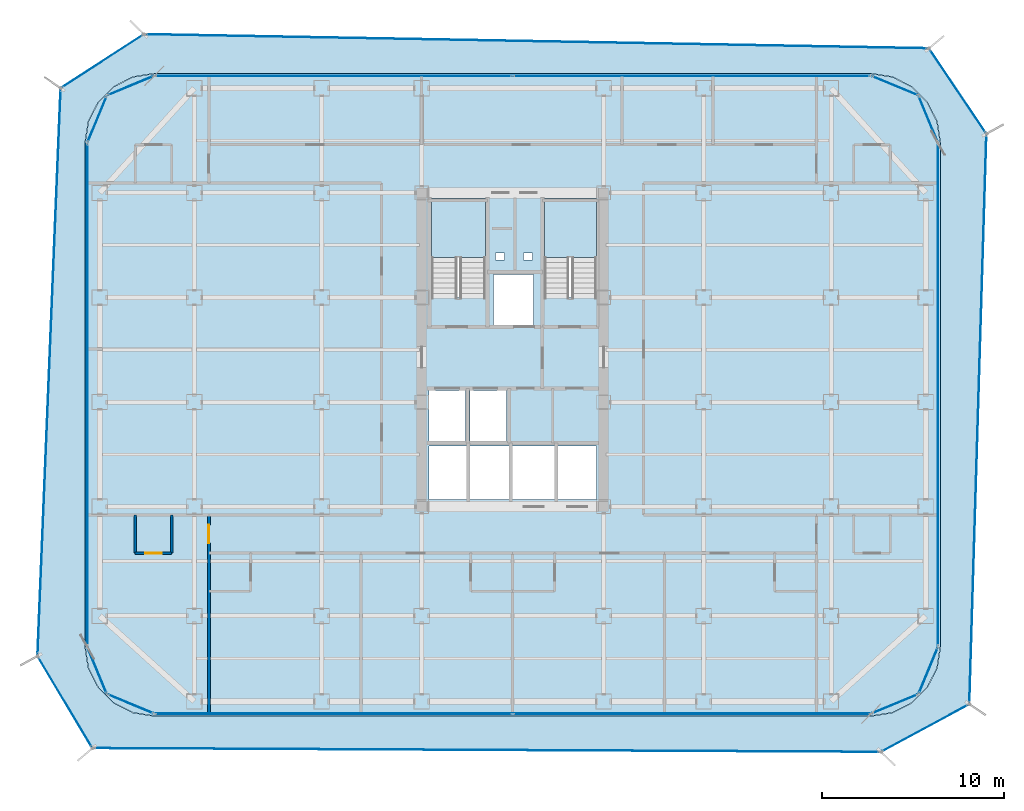
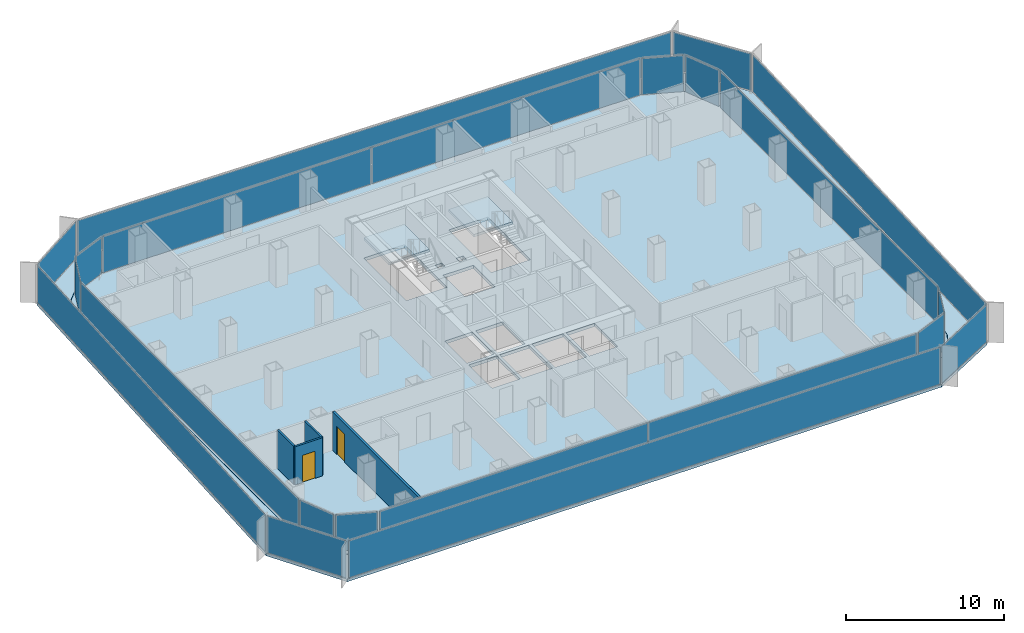
# One storey, part 15 of 21: 22 plates, 4 slabs, 4 walls, 2 doors, 2 openings, 22 elements without a shape of their own.
"""IFC4 building model written with IfcOpenShell, lengths in metres."""

import ifcopenshell
import ifcopenshell.guid

model = None  # the IFC model being written
_history = None  # IfcOwnerHistory: only IFC2X3 demands one
_inside = {}  # id of a spatial element -> (the spatial element, [elements in it])
_under = {}  # id of a project, library or spatial element -> (it, [spatial elements below it])
_declared = {}  # id of a project -> (the project, [libraries it declares])
_typed = {}  # id of a type object -> (the type object, [elements of that type])
_made_of = {}  # id of a material, layer set ... -> (it, [elements and type objects made of it])


def new_model(schema):
    """Start an empty IFC model of exactly this schema.

    Asked for "IFC4X3", IfcOpenShell would pick the latest addendum, in which some entities
    have other attributes; the version numbers below select the first issue.
    IFC2X3 requires an IfcOwnerHistory on every rooted entity: one is made here for all.
    """
    global model, _history
    if schema == "IFC4X3":
        model = ifcopenshell.file(schema_version=(4, 3, 0, 0))
    else:
        model = ifcopenshell.file(schema=schema)
    _inside.clear()
    _under.clear()
    _declared.clear()
    _typed.clear()
    _made_of.clear()
    _history = None
    if model.schema == "IFC2X3":
        org = make("IfcOrganization", Name="unknown")
        user = make(
            "IfcPersonAndOrganization",
            ThePerson=make("IfcPerson", FamilyName="unknown"),
            TheOrganization=org,
        )
        app = make(
            "IfcApplication",
            ApplicationDeveloper=org,
            Version="unknown",
            ApplicationFullName="unknown",
            ApplicationIdentifier="unknown",
        )
        _history = make(
            "IfcOwnerHistory",
            OwningUser=user,
            OwningApplication=app,
            ChangeAction="ADDED",
            CreationDate=0,
        )
    return model


def make(cls, **values):
    """One entity of the class cls with the attributes given. An attribute that is None is left unset."""
    return model.create_entity(
        cls, **{name: value for name, value in values.items() if value is not None}
    )


def rooted(cls, **values):
    """An entity with a GlobalId (a new one), such as an element, a storey or a relation."""
    return make(cls, GlobalId=ifcopenshell.guid.new(), OwnerHistory=_history, **values)


def si_unit(unit_type, name, prefix=None):
    """IfcSIUnit, for example si_unit("LENGTHUNIT", "METRE", prefix="MILLI")."""
    return make("IfcSIUnit", UnitType=unit_type, Prefix=prefix, Name=name)


def assignment(units):
    """IfcUnitAssignment: the units of a project."""
    return None if units is None else make("IfcUnitAssignment", Units=units)


def point(xyz):
    """IfcCartesianPoint."""
    return None if xyz is None else make("IfcCartesianPoint", Coordinates=xyz)


def direction(xyz):
    """IfcDirection."""
    return None if xyz is None else make("IfcDirection", DirectionRatios=xyz)


def frame(location, z_axis=None, x_axis=None):
    """IfcAxis2Placement3D, a coordinate frame: its origin and axes. An axis left out is left unset."""
    return make(
        "IfcAxis2Placement3D",
        Location=point(location),
        Axis=direction(z_axis),
        RefDirection=direction(x_axis),
    )


def frame_2d(location, x_axis=None):
    """IfcAxis2Placement2D, a coordinate frame in the plane: its origin and x axis."""
    return make(
        "IfcAxis2Placement2D", Location=point(location), RefDirection=direction(x_axis)
    )


def origin():
    """The frame at (0, 0, 0) with its axes left unset."""
    return frame((0.0, 0.0, 0.0))


def origin_2d():
    """The frame at (0, 0) in the plane with its x axis left unset."""
    return frame_2d((0.0, 0.0))


def place(relative_to, where):
    """IfcLocalPlacement: puts the frame where relative to a parent placement (None: the world)."""
    return make(
        "IfcLocalPlacement", PlacementRelTo=relative_to, RelativePlacement=where
    )


def context(
    kind, dimensions, precision=None, world=None, true_north=None, identifier=None
):
    """IfcGeometricRepresentationContext, for example the 3D "Model" context."""
    return make(
        "IfcGeometricRepresentationContext",
        ContextIdentifier=identifier,
        ContextType=kind,
        CoordinateSpaceDimension=dimensions,
        Precision=precision,
        WorldCoordinateSystem=world,
        TrueNorth=true_north,
    )


def subcontext(parent, identifier, kind, view, scale=None):
    """IfcGeometricRepresentationSubContext, for example "Body" below "Model"."""
    return make(
        "IfcGeometricRepresentationSubContext",
        ContextIdentifier=identifier,
        ContextType=kind,
        ParentContext=parent,
        TargetScale=scale,
        TargetView=view,
    )


def project(units=None, contexts=None):
    """IfcProject with its units and contexts."""
    return rooted(
        "IfcProject",
        Name="project",
        RepresentationContexts=contexts,
        UnitsInContext=assignment(units),
    )


def spatial(cls, under=None, at=None, **own):
    """A site, building, storey or space (cls), placed at a placement, below another one or the project."""
    s = rooted(cls, ObjectPlacement=at, **own)
    if under is not None:
        _under.setdefault(under.id(), (under, []))[1].append(s)
    return s


def polyline(points):
    """IfcPolyline through the points."""
    return make("IfcPolyline", Points=[point(p) for p in points])


def profile(cls, at=None, kind="AREA", **sizes):
    """A parametric profile (cls). Its sizes go by their IFC names, for example OverallWidth=200.0."""
    return make(cls, ProfileType=kind, Position=at, **sizes)


def rectangle(**sizes):
    """IfcRectangleProfileDef."""
    return profile("IfcRectangleProfileDef", **sizes)


def outline(outer, holes=None, kind="AREA"):
    """IfcArbitraryClosedProfileDef: a profile drawn as a closed curve; with holes, ...WithVoids."""
    if holes is None:
        return make("IfcArbitraryClosedProfileDef", ProfileType=kind, OuterCurve=outer)
    return make(
        "IfcArbitraryProfileDefWithVoids",
        ProfileType=kind,
        OuterCurve=outer,
        InnerCurves=holes,
    )


def extrude(swept, where, along, depth):
    """IfcExtrudedAreaSolid: the profile swept, set in the frame where, extruded along a direction by depth."""
    return make(
        "IfcExtrudedAreaSolid",
        SweptArea=swept,
        Position=where,
        ExtrudedDirection=direction(along),
        Depth=depth,
    )


def shape(context_of_items, identifier, shape_type, items):
    """IfcShapeRepresentation: the items that make up one representation, for example the "Body"."""
    return make(
        "IfcShapeRepresentation",
        ContextOfItems=context_of_items,
        RepresentationIdentifier=identifier,
        RepresentationType=shape_type,
        Items=items,
    )


def source(mapping_origin, context_of_items, identifier, shape_type, items):
    """IfcRepresentationMap: a shape defined once, which mapped items show again and again."""
    return make(
        "IfcRepresentationMap",
        MappingOrigin=mapping_origin,
        MappedRepresentation=shape(context_of_items, identifier, shape_type, items),
    )


def transform(
    local_origin,
    x_axis=None,
    y_axis=None,
    z_axis=None,
    scale=None,
    scale2=None,
    scale3=None,
    uniform=True,
):
    """IfcCartesianTransformationOperator3D, or its non-uniform kind. x_axis, y_axis, z_axis: its Axis1, 2, 3."""
    if uniform:
        return make(
            "IfcCartesianTransformationOperator3D",
            Axis1=direction(x_axis),
            Axis2=direction(y_axis),
            LocalOrigin=point(local_origin),
            Scale=scale,
            Axis3=direction(z_axis),
        )
    return make(
        "IfcCartesianTransformationOperator3DnonUniform",
        Axis1=direction(x_axis),
        Axis2=direction(y_axis),
        LocalOrigin=point(local_origin),
        Scale=scale,
        Axis3=direction(z_axis),
        Scale2=scale2,
        Scale3=scale3,
    )


def mapped(mapping_source, mapping_target):
    """IfcMappedItem: shows the shape of a source again, moved by a transform."""
    return make(
        "IfcMappedItem", MappingSource=mapping_source, MappingTarget=mapping_target
    )


def material(Name=None, Category=None):
    """IfcMaterial."""
    return make("IfcMaterial", Name=Name, Category=Category)


def layer(
    of_material, thickness, ventilated=None, Name=None, Category=None, Priority=None
):
    """IfcMaterialLayer: one layer of a wall or slab, of a material (None: an air gap)."""
    return make(
        "IfcMaterialLayer",
        Material=of_material,
        LayerThickness=thickness,
        IsVentilated=ventilated,
        Name=Name,
        Category=Category,
        Priority=Priority,
    )


def layer_set(layers, Name=None):
    """IfcMaterialLayerSet."""
    return make("IfcMaterialLayerSet", MaterialLayers=layers, LayerSetName=Name)


def made_of(thing, what):
    """Note that an element or type object is made of a material, layer set ...; save() writes the relation."""
    if what is not None:
        _made_of.setdefault(what.id(), (what, []))[1].append(thing)
    return thing


def type_object(cls, material=None, **own):
    """A type object (cls), such as IfcWallType, which elements share."""
    return made_of(rooted(cls, **own), material)


def element(
    cls,
    number,
    at=None,
    inside=None,
    cuts=None,
    type_object=None,
    material=None,
    context=None,
    identifier="Body",
    shape_type=None,
    held_by="IfcProductDefinitionShape",
    body=None,
    shapes=None,
    **own,
):
    """One element of the class cls, such as IfcWall. Its Tag is "e" and its number.

    at: its placement. inside: the storey or other place that contains it. cuts: it is an
    opening in that element (IfcRelVoidsElement). A single representation is given by context,
    identifier, shape_type and body (its items); several are given by shapes. held_by: the class
    of the entity that holds the representations. save() writes the other relations.
    """
    e = rooted(cls, Tag="e%d" % number, ObjectPlacement=at, **own)
    if body is not None:
        shapes = [shape(context, identifier, shape_type, body)]
    if shapes is not None:
        e.Representation = make(held_by, Representations=shapes)
    if inside is not None:
        _inside.setdefault(inside.id(), (inside, []))[1].append(e)
    if cuts is not None:
        rooted(
            "IfcRelVoidsElement", RelatingBuildingElement=cuts, RelatedOpeningElement=e
        )
    if type_object is not None:
        _typed.setdefault(type_object.id(), (type_object, []))[1].append(e)
    return made_of(e, material)


def fill(opening, filler):
    """IfcRelFillsElement: the door or window that sits in an opening."""
    return rooted(
        "IfcRelFillsElement",
        RelatingOpeningElement=opening,
        RelatedBuildingElement=filler,
    )


def aggregate(whole, parts):
    """IfcRelAggregates: a whole, such as a stair, and the parts it consists of."""
    return rooted("IfcRelAggregates", RelatingObject=whole, RelatedObjects=parts)


def save(model, path):
    """Write the relations noted so far, then the file.

    IfcRelAggregates (storeys below a building ...), IfcRelContainedInSpatialStructure (elements
    in a storey), IfcRelDefinesByType, IfcRelAssociatesMaterial and IfcRelDeclares: one each for
    every whole, place, type object, material and project.
    """
    for whole, parts in _under.values():
        aggregate(whole, parts)
    for where, things in _inside.values():
        rooted(
            "IfcRelContainedInSpatialStructure",
            RelatedElements=things,
            RelatingStructure=where,
        )
    for kind, things in _typed.values():
        rooted("IfcRelDefinesByType", RelatedObjects=things, RelatingType=kind)
    for what, things in _made_of.values():
        rooted("IfcRelAssociatesMaterial", RelatedObjects=things, RelatingMaterial=what)
    for by, libraries in _declared.values():
        rooted("IfcRelDeclares", RelatingContext=by, RelatedDefinitions=libraries)
    model.write(path)


model = new_model("IFC4")

# Units and contexts
model_context = context("Model", 3, precision=1e-05, world=origin(), true_north=direction((0.0, 1.0)))
body_context = subcontext(model_context, "Body", "Model", "MODEL_VIEW")
ifc_project = project(units=[si_unit("LENGTHUNIT", "METRE"), si_unit("AREAUNIT", "SQUARE_METRE"), si_unit("VOLUMEUNIT", "CUBIC_METRE"), si_unit("PLANEANGLEUNIT", "RADIAN"), si_unit("MASSUNIT", "GRAM", prefix="KILO")], contexts=[model_context])

# Site, building, storey
site_placement = place(None, origin())
site = spatial("IfcSite", under=ifc_project, at=site_placement, CompositionType="ELEMENT")
building_placement = place(site_placement, origin())
building = spatial("IfcBuilding", under=site, at=building_placement, Name="Kolveth Station Tower", CompositionType="ELEMENT")
storey_placement = place(building_placement, frame((0.0, 0.0, 92.699951171875)))
storey = spatial("IfcBuildingStorey", under=building, at=storey_placement, Name="L24", CompositionType="ELEMENT", Elevation=92.699951171875)

# Slab
ifc_material_1 = material(Name="Concrete C40/50", Category="concrete")
ifc_layer_1 = layer(ifc_material_1, 0.25)
ifc_layer_set_1 = layer_set([ifc_layer_1], Name="Concrete C40/50")
slab_type_1 = type_object("IfcSlabType", Name="Slab_SF-250", PredefinedType="FLOOR", material=ifc_layer_set_1)
slab_1_placement = place(storey_placement, frame((0.0, 0.0, -0.25)))
element("IfcSlab", 1, at=slab_1_placement, inside=storey, type_object=slab_type_1, Name="L24 Tower Structural Floor Slab", PredefinedType="FLOOR", context=body_context, shape_type="SweptSolid", body=[
    extrude(outline(polyline([(43.199951171875, 0.0), (44.374267578125, 0.18603515625), (45.43359375, 0.7255859375), (46.2744140625, 1.56640625), (46.81396484375, 2.625732421875), (47.0, 3.800048828125), (47.0, 31.5), (46.81396484375, 32.67431640625), (46.2744140625, 33.733642578125), (45.43359375, 34.57421875), (44.374267578125, 35.114013671875), (43.199951171875, 35.300048828125), (3.800048828125, 35.300048828125), (2.625732421875, 35.114013671875), (1.56640625, 34.57421875), (0.7255859375, 33.733642578125), (0.18603515625, 32.67431640625), (0.0, 31.5), (0.0, 3.800048828125), (0.18603515625, 2.625732421875), (0.7255859375, 1.56640625), (1.56640625, 0.7255859375), (2.625732421875, 0.18603515625), (3.800048828125, 0.0), (43.199951171875, 0.0)]), holes=[polyline([(19.0400390625, 22.985107421875), (22.0, 22.985107421875), (22.0, 28.39990234375), (19.0400390625, 28.39990234375), (19.0400390625, 22.985107421875)]), polyline([(25.239990234375, 22.985107421875), (28.10009765625, 22.985107421875), (28.10009765625, 28.39990234375), (25.239990234375, 28.39990234375), (25.239990234375, 22.985107421875)]), polyline([(18.89990234375, 15.10009765625), (20.89990234375, 15.10009765625), (20.89990234375, 17.89990234375), (18.89990234375, 17.89990234375), (18.89990234375, 15.10009765625)]), polyline([(21.14990234375, 15.10009765625), (23.14990234375, 15.10009765625), (23.14990234375, 17.89990234375), (21.14990234375, 17.89990234375), (21.14990234375, 15.10009765625)]), polyline([(22.449951171875, 21.5), (24.64990234375, 21.5), (24.64990234375, 24.25), (22.449951171875, 24.25), (22.449951171875, 21.5)]), polyline([(18.89990234375, 11.89990234375), (20.949951171875, 11.89990234375), (20.949951171875, 14.85009765625), (18.89990234375, 14.85009765625), (18.89990234375, 11.89990234375)]), polyline([(21.14990234375, 11.89990234375), (23.300048828125, 11.89990234375), (23.300048828125, 14.85009765625), (21.14990234375, 14.85009765625), (21.14990234375, 11.89990234375)]), polyline([(23.5, 11.89990234375), (25.800048828125, 11.89990234375), (25.800048828125, 14.85009765625), (23.5, 14.85009765625), (23.5, 11.89990234375)]), polyline([(26.0, 11.89990234375), (28.10009765625, 11.89990234375), (28.10009765625, 14.85009765625), (26.0, 14.85009765625), (26.0, 11.89990234375)]), polyline([(22.550048828125, 25.050048828125), (23.050048828125, 25.050048828125), (23.050048828125, 25.449951171875), (22.550048828125, 25.449951171875), (22.550048828125, 25.050048828125)]), polyline([(24.10009765625, 25.050048828125), (24.60009765625, 25.050048828125), (24.60009765625, 25.449951171875), (24.10009765625, 25.449951171875), (24.10009765625, 25.050048828125)])]), origin(), (0.0, 0.0, 1.0), 0.25),
])

# Stair, slab
stair_type_1 = type_object("IfcStairType", Name="Stair_ST2", PredefinedType="HALF_TURN_STAIR", material=ifc_material_1)
stair_1_placement = place(storey_placement, origin())
stair_1 = element("IfcStair", 2, at=stair_1_placement, inside=storey, type_object=stair_type_1, Name="L24 Tower Exit Stair ST2", PredefinedType="HALF_TURN_STAIR")
ifc_layer_2 = layer(ifc_material_1, 0.18994140625)
ifc_layer_set_2 = layer_set([ifc_layer_2], Name="Concrete C40/50")
slab_type_2 = type_object("IfcSlabType", Name="Slab_SL-190", PredefinedType="LANDING", material=ifc_layer_set_2)
slab_2_placement = place(storey_placement, frame((0.0, 0.0, 1.400146484375)))
slab_2 = element("IfcSlab", 3, at=slab_2_placement, type_object=slab_type_2, Name="ST2 landing 1", PredefinedType="LANDING", context=body_context, shape_type="SweptSolid", body=[
    extrude(outline(polyline([(28.10009765625, 25.18994140625), (28.10009765625, 28.39990234375), (25.239990234375, 28.39990234375), (25.239990234375, 25.18994140625), (28.10009765625, 25.18994140625)])), origin(), (0.0, 0.0, 1.0), 0.199951171875),
])
aggregate(stair_1, [slab_2])

stair_type_2 = type_object("IfcStairType", Name="Stair_ST1", PredefinedType="HALF_TURN_STAIR", material=ifc_material_1)
stair_2_placement = place(storey_placement, origin())
stair_2 = element("IfcStair", 4, at=stair_2_placement, inside=storey, type_object=stair_type_2, Name="L24 Tower Exit Stair ST1", PredefinedType="HALF_TURN_STAIR")
ifc_layer_3 = layer(ifc_material_1, 0.205078125)
ifc_layer_set_3 = layer_set([ifc_layer_3], Name="Concrete C40/50")
slab_type_3 = type_object("IfcSlabType", Name="Slab_SL-205", PredefinedType="LANDING", material=ifc_layer_set_3)
slab_3_placement = place(storey_placement, frame((0.0, 0.0, 1.400146484375)))
slab_3 = element("IfcSlab", 5, at=slab_3_placement, type_object=slab_type_3, Name="ST1 landing 1", PredefinedType="LANDING", context=body_context, shape_type="SweptSolid", body=[
    extrude(outline(polyline([(22.0, 25.18994140625), (22.0, 28.39990234375), (19.0400390625, 28.39990234375), (19.0400390625, 25.18994140625), (22.0, 25.18994140625)])), origin(), (0.0, 0.0, 1.0), 0.199951171875),
])
aggregate(stair_2, [slab_3])

# Slab
ifc_layer_4 = layer(ifc_material_1, 0.2099609375)
ifc_layer_set_4 = layer_set([ifc_layer_4], Name="Concrete C40/50")
slab_type_4 = type_object("IfcSlabType", Name="Slab_ST-210", PredefinedType="FLOOR", material=ifc_layer_set_4)
slab_4_placement = place(storey_placement, frame((0.0, 0.0, -0.2099609375)))
element("IfcSlab", 6, at=slab_4_placement, inside=storey, type_object=slab_type_4, Name="L24 Double-Skin Cavity Structural Ledger Ring", PredefinedType="FLOOR", context=body_context, shape_type="SweptSolid", body=[
    extrude(outline(polyline([(0.406005859375, -1.771728515625), (-2.617431640625, 3.29052734375), (-1.34326171875, 34.507080078125), (3.234375, 37.46728515625), (46.37744140625, 36.6923828125), (49.5400390625, 31.999755859375), (48.600830078125, 0.64453125), (43.742431640625, -1.97900390625), (0.406005859375, -1.771728515625)]), holes=[polyline([(43.202392578125, -0.014892578125), (44.376708984375, 0.171142578125), (44.381103515625, 0.172607421875), (45.4404296875, 0.71240234375), (45.444091796875, 0.715087890625), (46.284912109375, 1.555908203125), (46.28759765625, 1.5595703125), (46.827392578125, 2.618896484375), (46.828857421875, 2.623291015625), (47.014892578125, 3.797607421875), (47.014892578125, 3.800048828125), (47.014892578125, 31.5), (47.014892578125, 31.502197265625), (46.828857421875, 32.676513671875), (46.827392578125, 32.68115234375), (46.28759765625, 33.740478515625), (46.284912109375, 33.744140625), (45.444091796875, 34.5849609375), (45.4404296875, 34.587646484375), (44.381103515625, 35.12744140625), (44.376708984375, 35.12890625), (43.202392578125, 35.314697265625), (43.199951171875, 35.31494140625), (3.800048828125, 35.31494140625), (3.797607421875, 35.314697265625), (2.623291015625, 35.12890625), (2.618896484375, 35.12744140625), (1.5595703125, 34.587646484375), (1.555908203125, 34.5849609375), (0.715087890625, 33.744140625), (0.71240234375, 33.740478515625), (0.172607421875, 32.68115234375), (0.171142578125, 32.676513671875), (-0.014892578125, 31.502197265625), (-0.014892578125, 31.5), (-0.014892578125, 3.800048828125), (-0.014892578125, 3.797607421875), (0.171142578125, 2.623291015625), (0.172607421875, 2.618896484375), (0.71240234375, 1.5595703125), (0.715087890625, 1.555908203125), (1.555908203125, 0.715087890625), (1.5595703125, 0.71240234375), (2.618896484375, 0.172607421875), (2.623291015625, 0.171142578125), (3.797607421875, -0.014892578125), (3.800048828125, -0.014892578125), (43.199951171875, -0.014892578125), (43.202392578125, -0.014892578125)])]), origin(), (0.0, 0.0, 1.0), 0.2099609375),
])

# Curtain wall, plate
ifc_material_2 = material(Name="Aluminium 6063-T6 and low-E dark glass", Category="aluminium")
ifc_layer_5 = layer(ifc_material_2, 0.18994140625)
ifc_layer_set_5 = layer_set([ifc_layer_5], Name="Aluminium 6063-T6 and low-E dark glass")
curtain_wall_type_1 = type_object("IfcCurtainWallType", Name="CurtainWall_CW-Z2", PredefinedType="NOTDEFINED", material=ifc_layer_set_5)
curtain_wall_1_placement = place(storey_placement, origin())
curtain_wall_1 = element("IfcCurtainWall", 7, at=curtain_wall_1_placement, inside=storey, type_object=curtain_wall_type_1, Name="L24 Inner Thermal Curtain Wall 1", PredefinedType="NOTDEFINED")
ifc_material_3 = material(Name="Architectural low-E dark glass", Category="glass")
ifc_layer_6 = layer(ifc_material_3, 0.0380859375)
ifc_layer_set_6 = layer_set([ifc_layer_6], Name="Architectural low-E dark glass")
plate_type_1 = type_object("IfcPlateType", Name="Panel_GL2", PredefinedType="CURTAIN_PANEL", material=ifc_layer_set_6)
shared_shape_1 = source(origin(), body_context, "Body", "SweptSolid", [
    extrude(rectangle(XDim=2.670654296875, YDim=0.0380859375, at=origin_2d()), origin(), (0.0, 0.0, 1.0), 2.803955078125),
])
plate_1_placement = place(storey_placement, frame((44.501220703125, 0.658935546875, 0.0732421875), z_axis=(0.0, 0.0, 1.0), x_axis=(0.923887883787, 0.38266326998, 0.0)))
plate_1 = element("IfcPlate", 8, at=plate_1_placement, type_object=plate_type_1, Name="CW-Z2 panel 1.1", PredefinedType="CURTAIN_PANEL", context=body_context, shape_type="MappedRepresentation", body=[
    mapped(shared_shape_1, transform((0.0, 0.0, 0.0), x_axis=(1.0, 0.0, 0.0), y_axis=(0.0, 1.0, 0.0), z_axis=(0.0, 0.0, 1.0), scale=1.0)),
])
aggregate(curtain_wall_1, [plate_1])

curtain_wall_2_placement = place(storey_placement, origin())
curtain_wall_2 = element("IfcCurtainWall", 9, at=curtain_wall_2_placement, inside=storey, type_object=curtain_wall_type_1, Name="L24 Inner Thermal Curtain Wall 2", PredefinedType="NOTDEFINED")
plate_2_placement = place(storey_placement, frame((46.341064453125, 2.498779296875, 0.0732421875), z_axis=(0.0, 0.0, 1.0), x_axis=(0.38266326998, 0.923887883787, 0.0)))
plate_2 = element("IfcPlate", 10, at=plate_2_placement, type_object=plate_type_1, Name="CW-Z2 panel 1.1", PredefinedType="CURTAIN_PANEL", context=body_context, shape_type="MappedRepresentation", body=[
    mapped(shared_shape_1, transform((0.0, 0.0, 0.0), x_axis=(1.0, 0.0, 0.0), y_axis=(0.0, 1.0, 0.0), z_axis=(0.0, 0.0, 1.0), scale=1.0)),
])
aggregate(curtain_wall_2, [plate_2])

curtain_wall_3_placement = place(storey_placement, origin())
curtain_wall_3 = element("IfcCurtainWall", 11, at=curtain_wall_3_placement, inside=storey, type_object=curtain_wall_type_1, Name="L24 Inner Thermal Curtain Wall 4", PredefinedType="NOTDEFINED")
plate_3_placement = place(storey_placement, frame((46.341064453125, 32.801025390625, 0.0732421875), z_axis=(0.0, 0.0, 1.0), x_axis=(-0.38266326998, 0.923887883787, 0.0)))
plate_3 = element("IfcPlate", 12, at=plate_3_placement, type_object=plate_type_1, Name="CW-Z2 panel 1.1", PredefinedType="CURTAIN_PANEL", context=body_context, shape_type="MappedRepresentation", body=[
    mapped(shared_shape_1, transform((0.0, 0.0, 0.0), x_axis=(1.0, 0.0, 0.0), y_axis=(0.0, 1.0, 0.0), z_axis=(0.0, 0.0, 1.0), scale=1.0)),
])
aggregate(curtain_wall_3, [plate_3])

curtain_wall_4_placement = place(storey_placement, origin())
curtain_wall_4 = element("IfcCurtainWall", 13, at=curtain_wall_4_placement, inside=storey, type_object=curtain_wall_type_1, Name="L24 Inner Thermal Curtain Wall 5", PredefinedType="NOTDEFINED")
plate_4_placement = place(storey_placement, frame((44.501220703125, 34.64111328125, 0.0732421875), z_axis=(0.0, 0.0, 1.0), x_axis=(-0.923887883787, 0.38266326998, 0.0)))
plate_4 = element("IfcPlate", 14, at=plate_4_placement, type_object=plate_type_1, Name="CW-Z2 panel 1.1", PredefinedType="CURTAIN_PANEL", context=body_context, shape_type="MappedRepresentation", body=[
    mapped(shared_shape_1, transform((0.0, 0.0, 0.0), x_axis=(1.0, 0.0, 0.0), y_axis=(0.0, 1.0, 0.0), z_axis=(0.0, 0.0, 1.0), scale=1.0)),
])
aggregate(curtain_wall_4, [plate_4])

curtain_wall_5_placement = place(storey_placement, origin())
curtain_wall_5 = element("IfcCurtainWall", 15, at=curtain_wall_5_placement, inside=storey, type_object=curtain_wall_type_1, Name="L24 Inner Thermal Curtain Wall 7", PredefinedType="NOTDEFINED")
plate_5_placement = place(storey_placement, frame((2.498779296875, 34.64111328125, 0.0732421875), z_axis=(0.0, 0.0, 1.0), x_axis=(-0.923887883787, -0.38266326998, 0.0)))
plate_5 = element("IfcPlate", 16, at=plate_5_placement, type_object=plate_type_1, Name="CW-Z2 panel 1.1", PredefinedType="CURTAIN_PANEL", context=body_context, shape_type="MappedRepresentation", body=[
    mapped(shared_shape_1, transform((0.0, 0.0, 0.0), x_axis=(1.0, 0.0, 0.0), y_axis=(0.0, 1.0, 0.0), z_axis=(0.0, 0.0, 1.0), scale=1.0)),
])
aggregate(curtain_wall_5, [plate_5])

curtain_wall_6_placement = place(storey_placement, origin())
curtain_wall_6 = element("IfcCurtainWall", 17, at=curtain_wall_6_placement, inside=storey, type_object=curtain_wall_type_1, Name="L24 Inner Thermal Curtain Wall 8", PredefinedType="NOTDEFINED")
plate_6_placement = place(storey_placement, frame((0.658935546875, 32.801025390625, 0.0732421875), z_axis=(0.0, 0.0, 1.0), x_axis=(-0.38266326998, -0.923887883787, 0.0)))
plate_6 = element("IfcPlate", 18, at=plate_6_placement, type_object=plate_type_1, Name="CW-Z2 panel 1.1", PredefinedType="CURTAIN_PANEL", context=body_context, shape_type="MappedRepresentation", body=[
    mapped(shared_shape_1, transform((0.0, 0.0, 0.0), x_axis=(1.0, 0.0, 0.0), y_axis=(0.0, 1.0, 0.0), z_axis=(0.0, 0.0, 1.0), scale=1.0)),
])
aggregate(curtain_wall_6, [plate_6])

curtain_wall_7_placement = place(storey_placement, origin())
curtain_wall_7 = element("IfcCurtainWall", 19, at=curtain_wall_7_placement, inside=storey, type_object=curtain_wall_type_1, Name="L24 Inner Thermal Curtain Wall 10", PredefinedType="NOTDEFINED")
plate_7_placement = place(storey_placement, frame((0.658935546875, 2.498779296875, 0.0732421875), z_axis=(0.0, 0.0, 1.0), x_axis=(0.38266326998, -0.923887883787, 0.0)))
plate_7 = element("IfcPlate", 20, at=plate_7_placement, type_object=plate_type_1, Name="CW-Z2 panel 1.1", PredefinedType="CURTAIN_PANEL", context=body_context, shape_type="MappedRepresentation", body=[
    mapped(shared_shape_1, transform((0.0, 0.0, 0.0), x_axis=(1.0, 0.0, 0.0), y_axis=(0.0, 1.0, 0.0), z_axis=(0.0, 0.0, 1.0), scale=1.0)),
])
aggregate(curtain_wall_7, [plate_7])

curtain_wall_8_placement = place(storey_placement, origin())
curtain_wall_8 = element("IfcCurtainWall", 21, at=curtain_wall_8_placement, inside=storey, type_object=curtain_wall_type_1, Name="L24 Inner Thermal Curtain Wall 11", PredefinedType="NOTDEFINED")
plate_8_placement = place(storey_placement, frame((2.498779296875, 0.658935546875, 0.0732421875), z_axis=(0.0, 0.0, 1.0), x_axis=(0.923887883787, -0.38266326998, 0.0)))
plate_8 = element("IfcPlate", 22, at=plate_8_placement, type_object=plate_type_1, Name="CW-Z2 panel 1.1", PredefinedType="CURTAIN_PANEL", context=body_context, shape_type="MappedRepresentation", body=[
    mapped(shared_shape_1, transform((0.0, 0.0, 0.0), x_axis=(1.0, 0.0, 0.0), y_axis=(0.0, 1.0, 0.0), z_axis=(0.0, 0.0, 1.0), scale=1.0)),
])
aggregate(curtain_wall_8, [plate_8])

curtain_wall_9_placement = place(storey_placement, origin())
curtain_wall_9 = element("IfcCurtainWall", 23, at=curtain_wall_9_placement, inside=storey, type_object=curtain_wall_type_1, Name="L24 Inner Thermal Curtain Wall 3", PredefinedType="NOTDEFINED")
shared_shape_2 = source(origin(), body_context, "Body", "SweptSolid", [
    extrude(rectangle(XDim=27.553955078125, YDim=0.0380859375, at=origin_2d()), origin(), (0.0, 0.0, 1.0), 2.803955078125),
])
plate_9_placement = place(storey_placement, frame((46.8798828125, 17.64990234375, 0.0732421875), z_axis=(0.0, 0.0, 1.0), x_axis=(0.0, 1.0, 0.0)))
plate_9 = element("IfcPlate", 24, at=plate_9_placement, type_object=plate_type_1, Name="CW-Z2 panel 1.1", PredefinedType="CURTAIN_PANEL", context=body_context, shape_type="MappedRepresentation", body=[
    mapped(shared_shape_2, transform((0.0, 0.0, 0.0), x_axis=(1.0, 0.0, 0.0), y_axis=(0.0, 1.0, 0.0), z_axis=(0.0, 0.0, 1.0), scale=1.0)),
])
aggregate(curtain_wall_9, [plate_9])

curtain_wall_10_placement = place(storey_placement, origin())
curtain_wall_10 = element("IfcCurtainWall", 25, at=curtain_wall_10_placement, inside=storey, type_object=curtain_wall_type_1, Name="L24 Inner Thermal Curtain Wall 9", PredefinedType="NOTDEFINED")
plate_10_placement = place(storey_placement, frame((0.1201171875, 17.64990234375, 0.0732421875), z_axis=(0.0, 0.0, 1.0), x_axis=(0.0, -1.0, 0.0)))
plate_10 = element("IfcPlate", 26, at=plate_10_placement, type_object=plate_type_1, Name="CW-Z2 panel 1.1", PredefinedType="CURTAIN_PANEL", context=body_context, shape_type="MappedRepresentation", body=[
    mapped(shared_shape_2, transform((0.0, 0.0, 0.0), x_axis=(1.0, 0.0, 0.0), y_axis=(0.0, 1.0, 0.0), z_axis=(0.0, 0.0, 1.0), scale=1.0)),
])
aggregate(curtain_wall_10, [plate_10])

# Curtain wall, plates
curtain_wall_11_placement = place(storey_placement, origin())
curtain_wall_11 = element("IfcCurtainWall", 27, at=curtain_wall_11_placement, inside=storey, type_object=curtain_wall_type_1, Name="L24 Inner Thermal Curtain Wall 6", PredefinedType="NOTDEFINED")
shared_shape_3 = source(origin(), body_context, "Body", "SweptSolid", [
    extrude(rectangle(XDim=19.593994140625, YDim=0.0380859375, at=origin_2d()), origin(), (0.0, 0.0, 1.0), 2.803955078125),
])
plate_11_placement = place(storey_placement, frame((33.330078125, 35.179931640625, 0.0732421875), z_axis=(0.0, 0.0, 1.0), x_axis=(-1.0, 0.0, 0.0)))
plate_11 = element("IfcPlate", 28, at=plate_11_placement, type_object=plate_type_1, Name="CW-Z2 panel 1.1", PredefinedType="CURTAIN_PANEL", context=body_context, shape_type="MappedRepresentation", body=[
    mapped(shared_shape_3, transform((0.0, 0.0, 0.0), x_axis=(1.0, 0.0, 0.0), y_axis=(0.0, 1.0, 0.0), z_axis=(0.0, 0.0, 1.0), scale=1.0)),
])
plate_12_placement = place(storey_placement, frame((13.669921875, 35.179931640625, 0.0732421875), z_axis=(0.0, 0.0, 1.0), x_axis=(-1.0, 0.0, 0.0)))
plate_12 = element("IfcPlate", 29, at=plate_12_placement, type_object=plate_type_1, Name="CW-Z2 panel 2.1", PredefinedType="CURTAIN_PANEL", context=body_context, shape_type="MappedRepresentation", body=[
    mapped(shared_shape_3, transform((0.0, 0.0, 0.0), x_axis=(1.0, 0.0, 0.0), y_axis=(0.0, 1.0, 0.0), z_axis=(0.0, 0.0, 1.0), scale=1.0)),
])
aggregate(curtain_wall_11, [plate_11, plate_12])

curtain_wall_12_placement = place(storey_placement, origin())
curtain_wall_12 = element("IfcCurtainWall", 30, at=curtain_wall_12_placement, inside=storey, type_object=curtain_wall_type_1, Name="L24 Inner Thermal Curtain Wall 12", PredefinedType="NOTDEFINED")
plate_13_placement = place(storey_placement, frame((13.669921875, 0.1201171875, 0.0732421875), z_axis=(0.0, 0.0, 1.0), x_axis=(1.0, 0.0, 0.0)))
plate_13 = element("IfcPlate", 31, at=plate_13_placement, type_object=plate_type_1, Name="CW-Z2 panel 1.1", PredefinedType="CURTAIN_PANEL", context=body_context, shape_type="MappedRepresentation", body=[
    mapped(shared_shape_3, transform((0.0, 0.0, 0.0), x_axis=(1.0, 0.0, 0.0), y_axis=(0.0, 1.0, 0.0), z_axis=(0.0, 0.0, 1.0), scale=1.0)),
])
plate_14_placement = place(storey_placement, frame((33.330078125, 0.1201171875, 0.0732421875), z_axis=(0.0, 0.0, 1.0), x_axis=(1.0, 0.0, 0.0)))
plate_14 = element("IfcPlate", 32, at=plate_14_placement, type_object=plate_type_1, Name="CW-Z2 panel 2.1", PredefinedType="CURTAIN_PANEL", context=body_context, shape_type="MappedRepresentation", body=[
    mapped(shared_shape_3, transform((0.0, 0.0, 0.0), x_axis=(1.0, 0.0, 0.0), y_axis=(0.0, 1.0, 0.0), z_axis=(0.0, 0.0, 1.0), scale=1.0)),
])
aggregate(curtain_wall_12, [plate_13, plate_14])

# Curtain wall, plate
ifc_material_4 = material(Name="Black anodized aluminium 6063-T6 and dark solar glass", Category="aluminium")
ifc_layer_7 = layer(ifc_material_4, 0.159912109375)
ifc_layer_set_7 = layer_set([ifc_layer_7], Name="Black anodized aluminium 6063-T6 and dark solar glass")
curtain_wall_type_2 = type_object("IfcCurtainWallType", Name="OUTER SKIN CW-OS", PredefinedType="NOTDEFINED", material=ifc_layer_set_7)
curtain_wall_13_placement = place(storey_placement, origin())
curtain_wall_13 = element("IfcCurtainWall", 33, at=curtain_wall_13_placement, inside=storey, type_object=curtain_wall_type_2, Name="L24 Outer Ventilated Skin Curtain Wall 1", PredefinedType="NOTDEFINED")
ifc_layer_8 = layer(ifc_material_3, 0.028076171875)
ifc_layer_set_8 = layer_set([ifc_layer_8], Name="Architectural low-E dark glass")
plate_type_2 = type_object("IfcPlateType", Name="Panel_GL-OS", PredefinedType="CURTAIN_PANEL", material=ifc_layer_set_8)
shared_shape_4 = source(origin(), body_context, "Body", "SweptSolid", [
    extrude(rectangle(XDim=5.355712890625, YDim=0.028076171875, at=origin_2d()), origin(), (0.0, 0.0, 1.0), 2.843994140625),
])
plate_15_placement = place(storey_placement, frame((46.171630859375, -0.667236328125, 0.0732421875), z_axis=(0.0, 0.0, 1.0), x_axis=(0.879904640474, 0.475150316923, 0.0)))
plate_15 = element("IfcPlate", 34, at=plate_15_placement, type_object=plate_type_2, Name="CW-OS panel 1.1", PredefinedType="CURTAIN_PANEL", context=body_context, shape_type="MappedRepresentation", body=[
    mapped(shared_shape_4, transform((0.0, 0.0, 0.0), x_axis=(1.0, 0.0, 0.0), y_axis=(0.0, 1.0, 0.0), z_axis=(0.0, 0.0, 1.0), scale=1.0)),
])
aggregate(curtain_wall_13, [plate_15])

curtain_wall_14_placement = place(storey_placement, origin())
curtain_wall_14 = element("IfcCurtainWall", 35, at=curtain_wall_14_placement, inside=storey, type_object=curtain_wall_type_2, Name="L24 Outer Ventilated Skin Curtain Wall 2", PredefinedType="NOTDEFINED")
shared_shape_5 = source(origin(), body_context, "Body", "SweptSolid", [
    extrude(rectangle(XDim=31.203369140625, YDim=0.028076171875, at=origin_2d()), origin(), (0.0, 0.0, 1.0), 2.843994140625),
])
plate_16_placement = place(storey_placement, frame((49.070556640625, 16.322021484375, 0.0732421875), z_axis=(0.0, 0.0, 1.0), x_axis=(0.029936950965, 0.999551789037, 0.0)))
plate_16 = element("IfcPlate", 36, at=plate_16_placement, type_object=plate_type_2, Name="CW-OS panel 1.1", PredefinedType="CURTAIN_PANEL", context=body_context, shape_type="MappedRepresentation", body=[
    mapped(shared_shape_5, transform((0.0, 0.0, 0.0), x_axis=(1.0, 0.0, 0.0), y_axis=(0.0, 1.0, 0.0), z_axis=(0.0, 0.0, 1.0), scale=1.0)),
])
aggregate(curtain_wall_14, [plate_16])

curtain_wall_15_placement = place(storey_placement, origin())
curtain_wall_15 = element("IfcCurtainWall", 37, at=curtain_wall_15_placement, inside=storey, type_object=curtain_wall_type_2, Name="L24 Outer Ventilated Skin Curtain Wall 3", PredefinedType="NOTDEFINED")
shared_shape_6 = source(origin(), body_context, "Body", "SweptSolid", [
    extrude(rectangle(XDim=5.492919921875, YDim=0.028076171875, at=origin_2d()), origin(), (0.0, 0.0, 1.0), 2.843994140625),
])
plate_17_placement = place(storey_placement, frame((47.958740234375, 34.345947265625, 0.0732421875), z_axis=(0.0, 0.0, 1.0), x_axis=(-0.558856896406, 0.829264113139, 0.0)))
plate_17 = element("IfcPlate", 38, at=plate_17_placement, type_object=plate_type_2, Name="CW-OS panel 1.1", PredefinedType="CURTAIN_PANEL", context=body_context, shape_type="MappedRepresentation", body=[
    mapped(shared_shape_6, transform((0.0, 0.0, 0.0), x_axis=(1.0, 0.0, 0.0), y_axis=(0.0, 1.0, 0.0), z_axis=(0.0, 0.0, 1.0), scale=1.0)),
])
aggregate(curtain_wall_15, [plate_17])

curtain_wall_16_placement = place(storey_placement, origin())
curtain_wall_16 = element("IfcCurtainWall", 39, at=curtain_wall_16_placement, inside=storey, type_object=curtain_wall_type_2, Name="L24 Outer Ventilated Skin Curtain Wall 4", PredefinedType="NOTDEFINED")
shared_shape_7 = source(origin(), body_context, "Body", "SweptSolid", [
    extrude(rectangle(XDim=42.984130859375, YDim=0.028076171875, at=origin_2d()), origin(), (0.0, 0.0, 1.0), 2.843994140625),
])
plate_18_placement = place(storey_placement, frame((24.805908203125, 37.079833984375, 0.0732421875), z_axis=(0.0, 0.0, 1.0), x_axis=(-0.999838737433, 0.017958260709, 0.0)))
plate_18 = element("IfcPlate", 40, at=plate_18_placement, type_object=plate_type_2, Name="CW-OS panel 1.1", PredefinedType="CURTAIN_PANEL", context=body_context, shape_type="MappedRepresentation", body=[
    mapped(shared_shape_7, transform((0.0, 0.0, 0.0), x_axis=(1.0, 0.0, 0.0), y_axis=(0.0, 1.0, 0.0), z_axis=(0.0, 0.0, 1.0), scale=1.0)),
])
aggregate(curtain_wall_16, [plate_18])

curtain_wall_17_placement = place(storey_placement, origin())
curtain_wall_17 = element("IfcCurtainWall", 41, at=curtain_wall_17_placement, inside=storey, type_object=curtain_wall_type_2, Name="L24 Outer Ventilated Skin Curtain Wall 5", PredefinedType="NOTDEFINED")
shared_shape_8 = source(origin(), body_context, "Body", "SweptSolid", [
    extrude(rectangle(XDim=5.285400390625, YDim=0.028076171875, at=origin_2d()), origin(), (0.0, 0.0, 1.0), 2.843994140625),
])
plate_19_placement = place(storey_placement, frame((0.945556640625, 35.9873046875, 0.0732421875), z_axis=(0.0, 0.0, 1.0), x_axis=(-0.839732530997, -0.543000254499, 0.0)))
plate_19 = element("IfcPlate", 42, at=plate_19_placement, type_object=plate_type_2, Name="CW-OS panel 1.1", PredefinedType="CURTAIN_PANEL", context=body_context, shape_type="MappedRepresentation", body=[
    mapped(shared_shape_8, transform((0.0, 0.0, 0.0), x_axis=(1.0, 0.0, 0.0), y_axis=(0.0, 1.0, 0.0), z_axis=(0.0, 0.0, 1.0), scale=1.0)),
])
aggregate(curtain_wall_17, [plate_19])

curtain_wall_18_placement = place(storey_placement, origin())
curtain_wall_18 = element("IfcCurtainWall", 43, at=curtain_wall_18_placement, inside=storey, type_object=curtain_wall_type_2, Name="L24 Outer Ventilated Skin Curtain Wall 6", PredefinedType="NOTDEFINED")
shared_shape_9 = source(origin(), body_context, "Body", "SweptSolid", [
    extrude(rectangle(XDim=31.07666015625, YDim=0.028076171875, at=origin_2d()), origin(), (0.0, 0.0, 1.0), 2.843994140625),
])
plate_20_placement = place(storey_placement, frame((-1.98046875, 18.89892578125, 0.0732421875), z_axis=(0.0, 0.0, 1.0), x_axis=(-0.040780739196, -0.999168119643, 0.0)))
plate_20 = element("IfcPlate", 44, at=plate_20_placement, type_object=plate_type_2, Name="CW-OS panel 1.1", PredefinedType="CURTAIN_PANEL", context=body_context, shape_type="MappedRepresentation", body=[
    mapped(shared_shape_9, transform((0.0, 0.0, 0.0), x_axis=(1.0, 0.0, 0.0), y_axis=(0.0, 1.0, 0.0), z_axis=(0.0, 0.0, 1.0), scale=1.0)),
])
aggregate(curtain_wall_18, [plate_20])

curtain_wall_19_placement = place(storey_placement, origin())
curtain_wall_19 = element("IfcCurtainWall", 45, at=curtain_wall_19_placement, inside=storey, type_object=curtain_wall_type_2, Name="L24 Outer Ventilated Skin Curtain Wall 7", PredefinedType="NOTDEFINED")
shared_shape_10 = source(origin(), body_context, "Body", "SweptSolid", [
    extrude(rectangle(XDim=5.73046875, YDim=0.028076171875, at=origin_2d()), origin(), (0.0, 0.0, 1.0), 2.843994140625),
])
plate_21_placement = place(storey_placement, frame((-1.105712890625, 0.75927734375, 0.0732421875), z_axis=(0.0, 0.0, 1.0), x_axis=(0.512738861921, -0.858544617056, 0.0)))
plate_21 = element("IfcPlate", 46, at=plate_21_placement, type_object=plate_type_2, Name="CW-OS panel 1.1", PredefinedType="CURTAIN_PANEL", context=body_context, shape_type="MappedRepresentation", body=[
    mapped(shared_shape_10, transform((0.0, 0.0, 0.0), x_axis=(1.0, 0.0, 0.0), y_axis=(0.0, 1.0, 0.0), z_axis=(0.0, 0.0, 1.0), scale=1.0)),
])
aggregate(curtain_wall_19, [plate_21])

curtain_wall_20_placement = place(storey_placement, origin())
curtain_wall_20 = element("IfcCurtainWall", 47, at=curtain_wall_20_placement, inside=storey, type_object=curtain_wall_type_2, Name="L24 Outer Ventilated Skin Curtain Wall 8", PredefinedType="NOTDEFINED")
shared_shape_11 = source(origin(), body_context, "Body", "SweptSolid", [
    extrude(rectangle(XDim=43.1708984375, YDim=0.028076171875, at=origin_2d()), origin(), (0.0, 0.0, 1.0), 2.843994140625),
])
plate_22_placement = place(storey_placement, frame((22.07421875, -1.87548828125, 0.0732421875), z_axis=(0.0, 0.0, 1.0), x_axis=(0.999988559276, -0.004783441872, 0.0)))
plate_22 = element("IfcPlate", 48, at=plate_22_placement, type_object=plate_type_2, Name="CW-OS panel 1.1", PredefinedType="CURTAIN_PANEL", context=body_context, shape_type="MappedRepresentation", body=[
    mapped(shared_shape_11, transform((0.0, 0.0, 0.0), x_axis=(1.0, 0.0, 0.0), y_axis=(0.0, 1.0, 0.0), z_axis=(0.0, 0.0, 1.0), scale=1.0)),
])
aggregate(curtain_wall_20, [plate_22])

# Walls
ifc_material_5 = material(Name="Moisture-resistant gypsum partition")
ifc_layer_9 = layer(ifc_material_5, 0.135009765625)
ifc_layer_set_9 = layer_set([ifc_layer_9], Name="Moisture-resistant gypsum partition")
wall_type_1 = type_object("IfcWallType", Name="Wall_IW-135", PredefinedType="PARTITIONING", material=ifc_layer_set_9)
for number, where, z_axis, x_axis, name in (
    (49, (2.75, 8.949951171875, 0.0), (0.0, 0.0, 1.0), (0.0, 1.0, 0.0), "L24 Partition Wall WL-L24-WS1-BV1"),
    (50, (4.75, 8.949951171875, 0.0), (0.0, 0.0, 1.0), (0.0, 1.0, 0.0), "L24 Partition Wall WL-L24-WS1-BV2"),
):
    element("IfcWall", number, at=place(storey_placement, frame(where, z_axis=z_axis, x_axis=x_axis)), inside=storey, type_object=wall_type_1, Name=name, PredefinedType="PARTITIONING", context=body_context, shape_type="SweptSolid", body=[
        extrude(rectangle(XDim=2.10009765625, YDim=0.135009765625, at=frame_2d((1.050048828125, 0.0))), origin(), (0.0, 0.0, 1.0), 2.949951171875),
    ])

# Wall, opening, door
wall_1_placement = place(storey_placement, frame((2.75, 8.949951171875, 0.0), z_axis=(0.0, 0.0, 1.0), x_axis=(1.0, 0.0, 0.0)))
wall_1 = element("IfcWall", 51, at=wall_1_placement, inside=storey, type_object=wall_type_1, Name="L24 Partition Wall WL-L24-WS1-BH", PredefinedType="PARTITIONING", context=body_context, shape_type="SweptSolid", body=[
    extrude(rectangle(XDim=2.0, YDim=0.135009765625, at=frame_2d((1.0, 0.0))), origin(), (0.0, 0.0, 1.0), 2.949951171875),
])
opening_1_placement = place(wall_1_placement, frame((0.5400390625, 0.0, 0.0)))
opening_1 = element("IfcOpeningElement", 52, at=opening_1_placement, cuts=wall_1, Name="Opening ID2", PredefinedType="OPENING", context=body_context, shape_type="SweptSolid", body=[
    extrude(rectangle(XDim=0.919921875, YDim=2.10009765625, at=frame_2d((0.4599609375, 1.050048828125))), frame((0.0, 0.077392578125, 0.0), z_axis=(0.0, -1.0, 0.0), x_axis=(1.0, 0.0, 0.0)), (0.0, 0.0, 1.0), 0.155029296875),
])
ifc_material_6 = material(Name="Moisture-resistant hardwood leaf", Category="wood")
door_type_1 = type_object("IfcDoorType", Name="Door_ID2", OperationType="NOTDEFINED", PredefinedType="DOOR", material=ifc_material_6)
door_1_placement = place(opening_1_placement, origin())
door_1 = element("IfcDoor", 53, at=door_1_placement, inside=storey, type_object=door_type_1, Name="L24 Hotel Corner Suite WS1 En-Suite Door", OperationType="SINGLE_SWING_LEFT", OverallHeight=2.10009765625, OverallWidth=0.919921875, PredefinedType="DOOR", context=body_context, shape_type="SweptSolid", body=[
    extrude(rectangle(XDim=0.919921875, YDim=2.10009765625, at=frame_2d((0.4599609375, 1.050048828125))), frame((0.0, 0.02490234375, 0.0), z_axis=(0.0, -1.0, 0.0), x_axis=(1.0, 0.0, 0.0)), (0.0, 0.0, 1.0), 0.050048828125),
])
fill(opening_1, door_1)

ifc_material_7 = material(Name="Acoustic double-stud gypsum partition")
ifc_layer_10 = layer(ifc_material_7, 0.1650390625)
ifc_layer_set_10 = layer_set([ifc_layer_10], Name="Acoustic double-stud gypsum partition")
wall_type_2 = type_object("IfcWallType", Name="Wall_IW-165", PredefinedType="PARTITIONING", material=ifc_layer_set_10)
wall_2_placement = place(storey_placement, frame((6.800048828125, 0.159912109375, 0.0), z_axis=(0.0, 0.0, 1.0), x_axis=(0.0, 1.0, 0.0)))
wall_2 = element("IfcWall", 54, at=wall_2_placement, inside=storey, type_object=wall_type_2, Name="L24 Partition Wall WL-L24-END-WS", PredefinedType="PARTITIONING", context=body_context, shape_type="SweptSolid", body=[
    extrude(rectangle(XDim=10.89013671875, YDim=0.1650390625, at=frame_2d((5.445068359375, 0.0))), origin(), (0.0, 0.0, 1.0), 2.949951171875),
])
opening_2_placement = place(wall_2_placement, frame((9.340087890625, 0.0, 0.0)))
opening_2 = element("IfcOpeningElement", 55, at=opening_2_placement, cuts=wall_2, Name="Opening FD3", PredefinedType="OPENING", context=body_context, shape_type="SweptSolid", body=[
    extrude(rectangle(XDim=1.0, YDim=2.14990234375, at=frame_2d((0.5, 1.074951171875))), frame((0.0, 0.092529296875, 0.0), z_axis=(0.0, -1.0, 0.0), x_axis=(1.0, 0.0, 0.0)), (0.0, 0.0, 1.0), 0.18505859375),
])
ifc_material_8 = material(Name="Fire-rated hardwood leaf and aluminium frame", Category="wood")
door_type_2 = type_object("IfcDoorType", Name="Door_FD3", OperationType="NOTDEFINED", PredefinedType="DOOR", material=ifc_material_8)
door_2_placement = place(opening_2_placement, origin())
door_2 = element("IfcDoor", 56, at=door_2_placement, inside=storey, type_object=door_type_2, Name="L24 Hotel Corner Suite WS1 Entrance Door", OperationType="SINGLE_SWING_LEFT", OverallHeight=2.14990234375, OverallWidth=1.0, PredefinedType="DOOR", context=body_context, shape_type="SweptSolid", body=[
    extrude(rectangle(XDim=1.0, YDim=2.14990234375, at=frame_2d((0.5, 1.074951171875))), frame((0.0, 0.02490234375, 0.0), z_axis=(0.0, -1.0, 0.0), x_axis=(1.0, 0.0, 0.0)), (0.0, 0.0, 1.0), 0.050048828125),
])
fill(opening_2, door_2)

save(model, "model.ifc")
